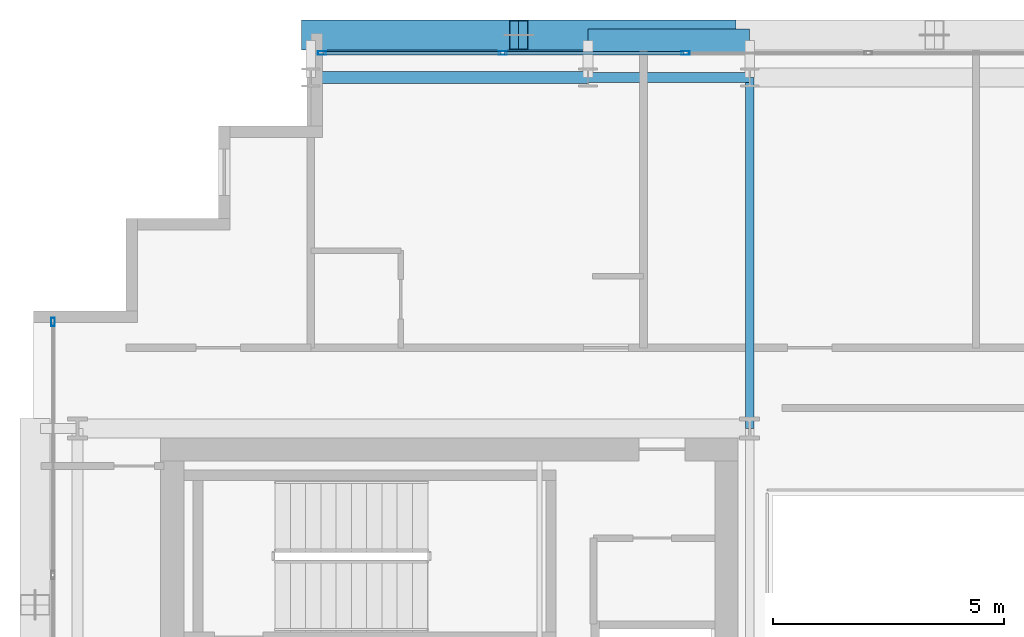
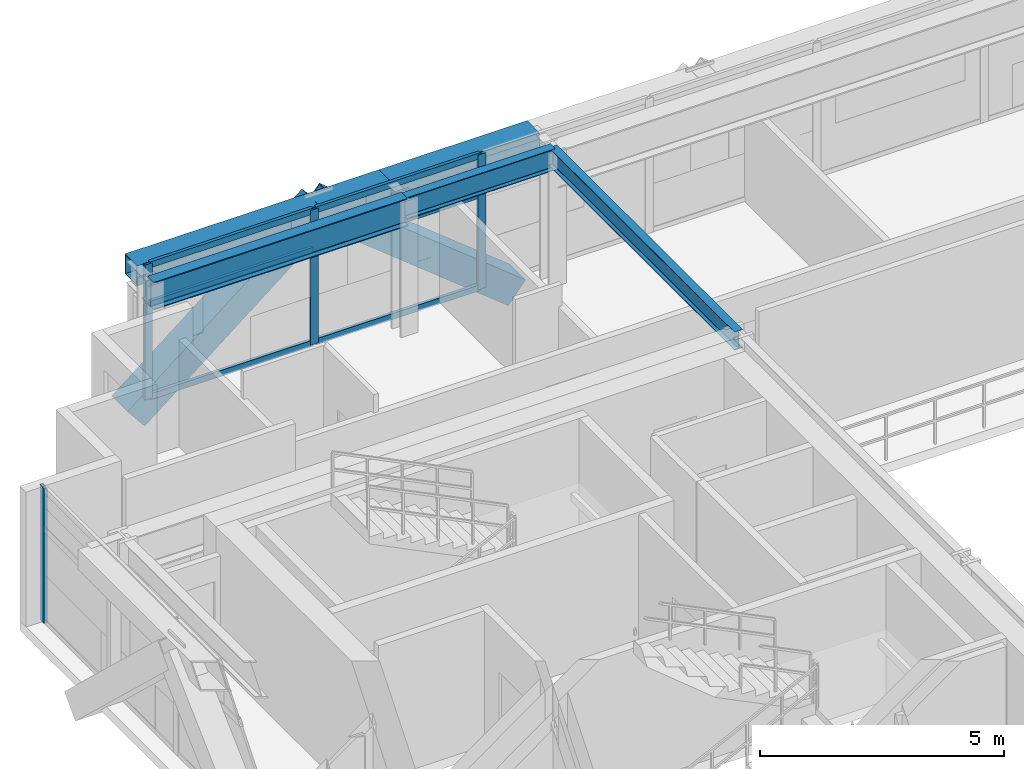
# One storey, part 16 of 30: 12 members, 5 beams, 2 elements without a shape of their own.
"""IFC4 building model written with IfcOpenShell, lengths in metres."""

from ifc_helpers import new_model, si_unit, direction, frame, origin, origin_2d, place, context, subcontext, project, spatial, hollow_rectangle, i_section, extrude, source, transform, mapped, material, layer, layer_set, material_profile, profile_set, type_object, element, aggregate, save


model = new_model("IFC4")

# Units and contexts
model_context = context("Model", 3, precision=1e-05, world=origin(), true_north=direction((0.0, 1.0)))
body_context = subcontext(model_context, "Body", "Model", "MODEL_VIEW")
ifc_project = project(units=[si_unit("LENGTHUNIT", "METRE"), si_unit("AREAUNIT", "SQUARE_METRE"), si_unit("VOLUMEUNIT", "CUBIC_METRE"), si_unit("PLANEANGLEUNIT", "RADIAN"), si_unit("MASSUNIT", "GRAM", prefix="KILO")], contexts=[model_context])

# Site, building, storey
site_placement = place(None, origin())
site = spatial("IfcSite", under=ifc_project, at=site_placement, CompositionType="ELEMENT")
building_placement = place(site_placement, origin())
building = spatial("IfcBuilding", under=site, at=building_placement, Name="Ocotamira Hotel", CompositionType="ELEMENT")
storey_placement = place(building_placement, frame((0.0, 0.0, 195.60009765625)))
storey = spatial("IfcBuildingStorey", under=building, at=storey_placement, Name="L49", CompositionType="ELEMENT", Elevation=195.60009765625)

# Beams
ifc_material_1 = material(Name="Steel ASTM A992 Grade 50", Category="steel")
ifc_material_profile_1 = material_profile(ifc_material_1, i_section(OverallWidth=0.256103515625, OverallDepth=0.693115234375, WebThickness=0.014404296875, FlangeThickness=0.023681640625, FilletRadius=0.01611328125, at=origin_2d()), Name="W27X114")
ifc_profile_set_1 = profile_set([ifc_material_profile_1], Name="Steel ASTM A992 Grade 50")
beam_type_1 = type_object("IfcBeamType", Name="BM-PRIM-W27X114", PredefinedType="BEAM", material=ifc_profile_set_1)
shared_shape_1 = source(origin(), body_context, "Body", "SweptSolid", [
    extrude(i_section(OverallWidth=0.256103515625, OverallDepth=0.693115234375, WebThickness=0.014404296875, FlangeThickness=0.023681640625, FilletRadius=0.01611328125, at=origin_2d()), origin(), (0.0, 0.0, 1.0), 6.0),
])
beam_1_placement = place(storey_placement, frame((14.0, 45.050048828125, 3.0234375), z_axis=(1.0, 0.0, 0.0), x_axis=(0.0, 1.0, 0.0)))
element("IfcBeam", 1, at=beam_1_placement, inside=storey, type_object=beam_type_1, Name="L49 Girder Y45.05 X14-20", PredefinedType="BEAM", context=body_context, shape_type="MappedRepresentation", body=[
    mapped(shared_shape_1, transform((0.0, 0.0, 0.0), scale=1.0)),
])
ifc_material_profile_2 = material_profile(ifc_material_1, i_section(OverallWidth=0.2099609375, OverallDepth=0.537109375, WebThickness=0.010986328125, FlangeThickness=0.017333984375, FilletRadius=0.012939453125, at=origin_2d()), Name="W21X68")
ifc_profile_set_2 = profile_set([ifc_material_profile_2], Name="Steel ASTM A992 Grade 50")
beam_type_2 = type_object("IfcBeamType", Name="BM-SEC-W21X68", PredefinedType="JOIST", material=ifc_profile_set_2)
shared_shape_2 = source(origin(), body_context, "Body", "SweptSolid", [
    extrude(i_section(OverallWidth=0.2099609375, OverallDepth=0.537109375, WebThickness=0.010986328125, FlangeThickness=0.017333984375, FilletRadius=0.012939453125, at=origin_2d()), origin(), (0.0, 0.0, 1.0), 3.5),
])
beam_2_placement = place(storey_placement, frame((20.0, 45.050048828125, 3.101318359375), z_axis=(1.0, 0.0, 0.0), x_axis=(0.0, 1.0, 0.0)))
element("IfcBeam", 2, at=beam_2_placement, inside=storey, type_object=beam_type_2, Name="L49 Girder Y45.05 X20-23.5", PredefinedType="JOIST", context=body_context, shape_type="MappedRepresentation", body=[
    mapped(shared_shape_2, transform((0.0, 0.0, 0.0), scale=1.0)),
])
ifc_material_2 = material(Name="Steel ASTM A500 Grade C", Category="steel")
ifc_material_profile_3 = material_profile(ifc_material_2, hollow_rectangle(XDim=0.5, YDim=0.5, WallThickness=0.02001953125, at=origin_2d()), Name="HSS500X500X20")
ifc_profile_set_3 = profile_set([ifc_material_profile_3], Name="Steel ASTM A500 Grade C")
beam_type_3 = type_object("IfcBeamType", Name="BM-SPAN-HSS500", PredefinedType="USERDEFINED", material=ifc_profile_set_3)
shared_shape_3 = source(origin(), body_context, "Body", "SweptSolid", [
    extrude(hollow_rectangle(XDim=0.5, YDim=0.5, WallThickness=0.02001953125, at=origin_2d()), origin(), (0.0, 0.0, 1.0), 6.0),
])
beam_3_placement = place(storey_placement, frame((14.0, 45.85009765625, 3.119873046875), z_axis=(1.0, 0.0, 0.0), x_axis=(0.0, 1.0, 0.0)))
element("IfcBeam", 3, at=beam_3_placement, inside=storey, type_object=beam_type_3, Name="L49 Edge Spandrel N X14-20", ObjectType="SPANDREL", PredefinedType="USERDEFINED", context=body_context, shape_type="MappedRepresentation", body=[
    mapped(shared_shape_3, transform((0.0, 0.0, 0.0), scale=1.0)),
])
shared_shape_4 = source(origin(), body_context, "Body", "SweptSolid", [
    extrude(hollow_rectangle(XDim=0.5, YDim=0.5, WallThickness=0.02001953125, at=origin_2d()), origin(), (0.0, 0.0, 1.0), 3.5),
])
beam_4_placement = place(storey_placement, frame((20.0, 45.85009765625, 3.119873046875), z_axis=(1.0, 0.0, 0.0), x_axis=(0.0, 1.0, 0.0)))
element("IfcBeam", 4, at=beam_4_placement, inside=storey, type_object=beam_type_3, Name="L49 Edge Spandrel N X20-23.5", ObjectType="SPANDREL", PredefinedType="USERDEFINED", context=body_context, shape_type="MappedRepresentation", body=[
    mapped(shared_shape_4, transform((0.0, 0.0, 0.0), scale=1.0)),
])
ifc_material_profile_4 = material_profile(ifc_material_1, i_section(OverallWidth=0.18994140625, OverallDepth=0.45703125, WebThickness=0.009033203125, FlangeThickness=0.014404296875, FilletRadius=0.010009765625, at=origin_2d()), Name="W18X50")
ifc_profile_set_4 = profile_set([ifc_material_profile_4], Name="Steel ASTM A992 Grade 50")
beam_type_4 = type_object("IfcBeamType", Name="BM-SEC-W18X50", PredefinedType="JOIST", material=ifc_profile_set_4)
shared_shape_5 = source(origin(), body_context, "Body", "SweptSolid", [
    extrude(i_section(OverallWidth=0.18994140625, OverallDepth=0.45703125, WebThickness=0.009033203125, FlangeThickness=0.014404296875, FilletRadius=0.010009765625, at=origin_2d()), origin(), (0.0, 0.0, 1.0), 7.60009765625),
])
beam_5_placement = place(storey_placement, frame((23.5, 37.449951171875, 3.141357421875), z_axis=(0.0, 1.0, 0.0), x_axis=(-1.0, 0.0, 0.0)))
element("IfcBeam", 5, at=beam_5_placement, inside=storey, type_object=beam_type_4, Name="L49 Beam X23.5 Y37.45-45.05", PredefinedType="JOIST", context=body_context, shape_type="MappedRepresentation", body=[
    mapped(shared_shape_5, transform((0.0, 0.0, 0.0), scale=1.0)),
])

# Members
ifc_material_3 = material(Name="Pale-metal coated steel ASTM A913 Grade 65", Category="steel")
ifc_material_profile_5 = material_profile(ifc_material_3, hollow_rectangle(XDim=0.64990234375, YDim=0.64990234375, WallThickness=0.02197265625, at=origin_2d()), Name="BOX650X650X22")
ifc_profile_set_5 = profile_set([ifc_material_profile_5], Name="Pale-metal coated steel ASTM A913 Grade 65")
member_type_1 = type_object("IfcMemberType", Name="MEM-EXO-BOX650", PredefinedType="BRACE", material=ifc_profile_set_5)
shared_shape_6 = source(origin(), body_context, "Body", "SweptSolid", [
    extrude(hollow_rectangle(XDim=0.64990234375, YDim=0.64990234375, WallThickness=0.02197265625, at=origin_2d()), origin(), (0.0, 0.0, 1.0), 5.7626953125),
])
for number, where, z_axis, x_axis, name in (
    (6, (14.0, 45.969970703125, -0.47998046875), (0.780881208953, 0.0, 0.624679547852), (0.0, 1.0, 0.0), "L49 Exoskeleton Diagrid N0.1"),
    (7, (23.0, 45.969970703125, -0.47998046875), (-0.780881208953, 0.0, 0.624679547852), (0.0, -1.0, 0.0), "L49 Exoskeleton Diagrid N0.2"),
):
    element("IfcMember", number, at=place(storey_placement, frame(where, z_axis=z_axis, x_axis=x_axis)), inside=storey, type_object=member_type_1, Name=name, PredefinedType="BRACE", context=body_context, shape_type="MappedRepresentation", body=[
        mapped(shared_shape_6, transform((0.0, 0.0, 0.0), scale=1.0)),
    ])

# Curtain wall, members
ifc_material_4 = material(Name="Anodised pale-metal aluminium and solar glass", Category="aluminium")
ifc_layer = layer(ifc_material_4, 0.199951171875)
ifc_layer_set = layer_set([ifc_layer], Name="Anodised pale-metal aluminium and solar glass")
curtain_wall_type = type_object("IfcCurtainWallType", Name="CW-SYS4-Z3", PredefinedType="NOTDEFINED", material=ifc_layer_set)
curtain_wall_1_placement = place(storey_placement, origin())
curtain_wall_1 = element("IfcCurtainWall", 8, at=curtain_wall_1_placement, inside=storey, type_object=curtain_wall_type, Name="L49 Curtain Wall CW-4 CW-L49-N", PredefinedType="NOTDEFINED")
ifc_material_5 = material(Name="Anodised pale-metal aluminium 6063-T6", Category="aluminium")
ifc_material_profile_6 = material_profile(ifc_material_5, hollow_rectangle(XDim=0.074951171875, YDim=0.14990234375, WallThickness=0.006103515625, at=origin_2d()), Name="HSS150X75X6")
ifc_profile_set_6 = profile_set([ifc_material_profile_6], Name="Anodised pale-metal aluminium 6063-T6")
member_type_2 = type_object("IfcMemberType", Name="CWT-150X75", PredefinedType="USERDEFINED", material=ifc_profile_set_6)
shared_shape_7 = source(origin(), body_context, "Body", "SweptSolid", [
    extrude(hollow_rectangle(XDim=0.074951171875, YDim=0.14990234375, WallThickness=0.006103515625, at=origin_2d()), origin(), (0.0, 0.0, 1.0), 3.83544921875),
])
member_1_placement = place(storey_placement, frame((14.280029296875, 45.580078125, 0.037353515625), z_axis=(1.0, 0.0, 0.0), x_axis=(0.0, 1.0, 0.0)))
member_1 = element("IfcMember", 9, at=member_1_placement, type_object=member_type_2, Name="CW-4 transom 1.1", ObjectType="TRANSOM", PredefinedType="USERDEFINED", context=body_context, shape_type="MappedRepresentation", body=[
    mapped(shared_shape_7, transform((0.0, 0.0, 0.0), scale=1.0)),
])
member_2_placement = place(storey_placement, frame((14.280029296875, 45.580078125, 2.349853515625), z_axis=(1.0, 0.0, 0.0), x_axis=(0.0, 1.0, 0.0)))
member_2 = element("IfcMember", 10, at=member_2_placement, type_object=member_type_2, Name="CW-4 transom 1.2", ObjectType="TRANSOM", PredefinedType="USERDEFINED", context=body_context, shape_type="MappedRepresentation", body=[
    mapped(shared_shape_7, transform((0.0, 0.0, 0.0), scale=1.0)),
])
member_3_placement = place(storey_placement, frame((14.280029296875, 45.580078125, 3.33251953125), z_axis=(1.0, 0.0, 0.0), x_axis=(0.0, 1.0, 0.0)))
member_3 = element("IfcMember", 11, at=member_3_placement, type_object=member_type_2, Name="CW-4 transom 1.3", ObjectType="TRANSOM", PredefinedType="USERDEFINED", context=body_context, shape_type="MappedRepresentation", body=[
    mapped(shared_shape_7, transform((0.0, 0.0, 0.0), scale=1.0)),
])
shared_shape_8 = source(origin(), body_context, "Body", "SweptSolid", [
    extrude(hollow_rectangle(XDim=0.074951171875, YDim=0.14990234375, WallThickness=0.006103515625, at=origin_2d()), origin(), (0.0, 0.0, 1.0), 3.87548828125),
])
member_4_placement = place(storey_placement, frame((18.195556640625, 45.580078125, 0.037353515625), z_axis=(1.0, 0.0, 0.0), x_axis=(0.0, 1.0, 0.0)))
member_4 = element("IfcMember", 12, at=member_4_placement, type_object=member_type_2, Name="CW-4 transom 2.1", ObjectType="TRANSOM", PredefinedType="USERDEFINED", context=body_context, shape_type="MappedRepresentation", body=[
    mapped(shared_shape_8, transform((0.0, 0.0, 0.0), scale=1.0)),
])
member_5_placement = place(storey_placement, frame((18.195556640625, 45.580078125, 2.349853515625), z_axis=(1.0, 0.0, 0.0), x_axis=(0.0, 1.0, 0.0)))
member_5 = element("IfcMember", 13, at=member_5_placement, type_object=member_type_2, Name="CW-4 transom 2.2", ObjectType="TRANSOM", PredefinedType="USERDEFINED", context=body_context, shape_type="MappedRepresentation", body=[
    mapped(shared_shape_8, transform((0.0, 0.0, 0.0), scale=1.0)),
])
member_6_placement = place(storey_placement, frame((18.195556640625, 45.580078125, 3.33251953125), z_axis=(1.0, 0.0, 0.0), x_axis=(0.0, 1.0, 0.0)))
member_6 = element("IfcMember", 14, at=member_6_placement, type_object=member_type_2, Name="CW-4 transom 2.3", ObjectType="TRANSOM", PredefinedType="USERDEFINED", context=body_context, shape_type="MappedRepresentation", body=[
    mapped(shared_shape_8, transform((0.0, 0.0, 0.0), scale=1.0)),
])
ifc_material_profile_7 = material_profile(ifc_material_5, hollow_rectangle(XDim=0.080078125, YDim=0.179931640625, WallThickness=0.006103515625, at=origin_2d()), Name="HSS180X80X6")
ifc_profile_set_7 = profile_set([ifc_material_profile_7], Name="Anodised pale-metal aluminium 6063-T6")
member_type_3 = type_object("IfcMemberType", Name="CWM-180X75", PredefinedType="MULLION", material=ifc_profile_set_7)
shared_shape_9 = source(origin(), body_context, "Body", "SweptSolid", [
    extrude(hollow_rectangle(XDim=0.080078125, YDim=0.179931640625, WallThickness=0.006103515625, at=origin_2d()), origin(), (0.0, 0.0, 1.0), 3.369873046875),
])
member_7_placement = place(storey_placement, frame((14.239990234375, 45.580078125, 0.0), z_axis=(0.0, 0.0, 1.0), x_axis=(0.0, 1.0, 0.0)))
member_7 = element("IfcMember", 15, at=member_7_placement, type_object=member_type_3, Name="CW-4 mullion 1", PredefinedType="MULLION", context=body_context, shape_type="MappedRepresentation", body=[
    mapped(shared_shape_9, transform((0.0, 0.0, 0.0), scale=1.0)),
])
member_8_placement = place(storey_placement, frame((18.155517578125, 45.580078125, 0.0), z_axis=(0.0, 0.0, 1.0), x_axis=(0.0, 1.0, 0.0)))
member_8 = element("IfcMember", 16, at=member_8_placement, type_object=member_type_3, Name="CW-4 mullion 2", PredefinedType="MULLION", context=body_context, shape_type="MappedRepresentation", body=[
    mapped(shared_shape_9, transform((0.0, 0.0, 0.0), scale=1.0)),
])
member_9_placement = place(storey_placement, frame((22.111083984375, 45.580078125, 0.0), z_axis=(0.0, 0.0, 1.0), x_axis=(0.0, 1.0, 0.0)))
member_9 = element("IfcMember", 17, at=member_9_placement, type_object=member_type_3, Name="CW-4 mullion 3", PredefinedType="MULLION", context=body_context, shape_type="MappedRepresentation", body=[
    mapped(shared_shape_9, transform((0.0, 0.0, 0.0), scale=1.0)),
])
aggregate(curtain_wall_1, [member_7, member_8, member_9, member_1, member_2, member_3, member_4, member_5, member_6])

# Curtain wall, member
curtain_wall_2_placement = place(storey_placement, origin())
curtain_wall_2 = element("IfcCurtainWall", 18, at=curtain_wall_2_placement, inside=storey, type_object=curtain_wall_type, Name="L49 Curtain Wall CW-4 CW-L49-W", PredefinedType="NOTDEFINED")
member_10_placement = place(storey_placement, frame((8.419921875, 39.760009765625, 0.0), z_axis=(0.0, 0.0, 1.0), x_axis=(-1.0, 0.0, 0.0)))
member_10 = element("IfcMember", 19, at=member_10_placement, type_object=member_type_3, Name="CW-4 mullion 6", PredefinedType="MULLION", context=body_context, shape_type="MappedRepresentation", body=[
    mapped(shared_shape_9, transform((0.0, 0.0, 0.0), scale=1.0)),
])
aggregate(curtain_wall_2, [member_10])

save(model, "model.ifc")
